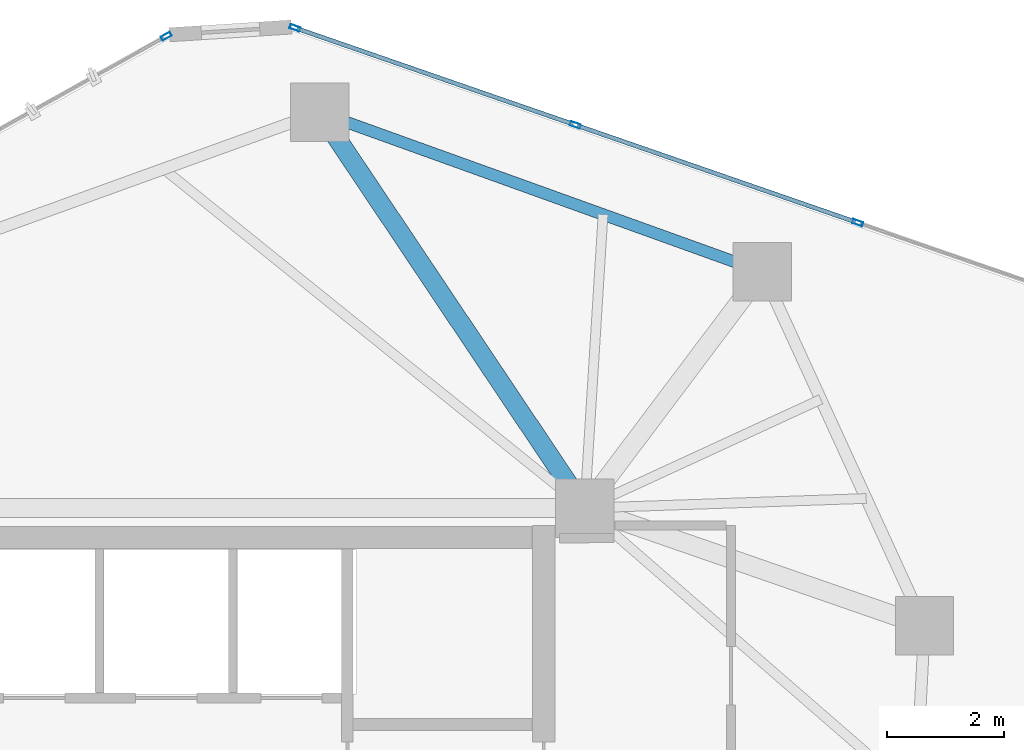
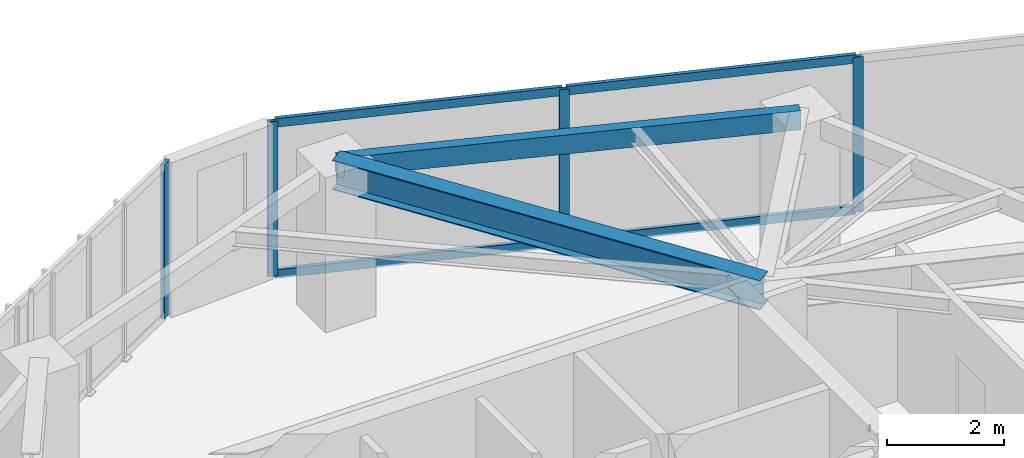
# One storey, part 13 of 19: 8 members, 2 beams, 2 elements without a shape of their own.
"""IFC4 building model written with IfcOpenShell, lengths in metres."""

from ifc_helpers import new_model, si_unit, direction, frame, origin, origin_2d, place, context, subcontext, project, spatial, hollow_rectangle, i_section, extrude, source, transform, mapped, material, layer, layer_set, material_profile, profile_set, type_object, type_shapes, element, aggregate, save


model = new_model("IFC4")

# Units and contexts
model_context = context("Model", 3, precision=1e-05, world=origin(), true_north=direction((0.0, 1.0)))
body_context = subcontext(model_context, "Body", "Model", "MODEL_VIEW")
ifc_project = project(units=[si_unit("LENGTHUNIT", "METRE"), si_unit("AREAUNIT", "SQUARE_METRE"), si_unit("VOLUMEUNIT", "CUBIC_METRE"), si_unit("PLANEANGLEUNIT", "RADIAN"), si_unit("MASSUNIT", "GRAM", prefix="KILO")], contexts=[model_context])

# Site, building, storey
site_placement = place(None, origin())
site = spatial("IfcSite", under=ifc_project, at=site_placement, CompositionType="ELEMENT")
building_placement = place(site_placement, origin())
building = spatial("IfcBuilding", under=site, at=building_placement, Name="Talar Marvaseh", CompositionType="ELEMENT")
storey_placement = place(building_placement, frame((0.0, 0.0, 177.5)))
storey = spatial("IfcBuildingStorey", under=building, at=storey_placement, Name="L46", CompositionType="ELEMENT", Elevation=177.5)

# Beams
ifc_material_1 = material(Name="Steel S355", Category="steel")
ifc_material_profile_1 = material_profile(ifc_material_1, hollow_rectangle(XDim=0.199951171875, YDim=0.39990234375, WallThickness=0.013916015625, at=origin_2d()), Name="RHS400x200x14")
ifc_profile_set_1 = profile_set([ifc_material_profile_1], Name="Steel S355")
beam_type_1 = type_object("IfcBeamType", Name="Zone 3 Perimeter Spandrel Beam RHS400x200x14", PredefinedType="SPANDREL", material=ifc_profile_set_1)
beam_1_placement = place(storey_placement, frame((28.76611328125, 43.66796875, 3.030029296875), z_axis=(0.940923359576, -0.3386195969, 0.0), x_axis=(0.3386195969, 0.940923359576, 0.0)))
element("IfcBeam", 1, at=beam_1_placement, inside=storey, type_object=beam_type_1, Name="L46 Zone 3 Perimeter Spandrel Beam RHS400x200x14", PredefinedType="SPANDREL", context=body_context, shape_type="SweptSolid", body=[
    extrude(hollow_rectangle(XDim=0.199951171875, YDim=0.39990234375, WallThickness=0.013916015625, at=origin_2d()), origin(), (0.0, 0.0, 1.0), 8.050537109375),
])
ifc_material_profile_2 = material_profile(ifc_material_1, i_section(OverallWidth=0.324951171875, OverallDepth=0.615966796875, WebThickness=0.013916015625, FlangeThickness=0.021484375, at=origin_2d()), Name="W610x174")
ifc_profile_set_2 = profile_set([ifc_material_profile_2], Name="Steel S355")
beam_type_2 = type_object("IfcBeamType", Name="Zone 3 Radial Floor Girder W610x174", PredefinedType="BEAM", material=ifc_profile_set_2)
beam_2_placement = place(storey_placement, frame((28.76611328125, 43.66796875, 2.922119140625), z_axis=(0.556559209375, -0.830807948, 0.0), x_axis=(0.830807948, 0.556559209375, 0.0)))
element("IfcBeam", 2, at=beam_2_placement, inside=storey, type_object=beam_type_2, Name="L46 Zone 3 Radial Floor Girder W610x174", PredefinedType="BEAM", context=body_context, shape_type="SweptSolid", body=[
    extrude(i_section(OverallWidth=0.324951171875, OverallDepth=0.615966796875, WebThickness=0.013916015625, FlangeThickness=0.021484375, at=origin_2d()), origin(), (0.0, 0.0, 1.0), 8.146484375),
])

# Curtain wall, member
ifc_material_2 = material(Name="Architectural Aluminium", Category="aluminium")
ifc_layer = layer(ifc_material_2, 0.18994140625)
ifc_layer_set = layer_set([ifc_layer], Name="Architectural Aluminium")
curtain_wall_type = type_object("IfcCurtainWallType", Name="Unitised Solar Atelier Curtain Wall Z3", PredefinedType="NOTDEFINED", material=ifc_layer_set)
curtain_wall_1_placement = place(storey_placement, origin())
curtain_wall_1 = element("IfcCurtainWall", 3, at=curtain_wall_1_placement, inside=storey, type_object=curtain_wall_type, Name="L46 Unitised Solar Atelier Curtain Wall Z3", PredefinedType="NOTDEFINED")
ifc_material_profile_3 = material_profile(ifc_material_2, hollow_rectangle(XDim=0.074951171875, YDim=0.179931640625, WallThickness=0.0048828125, at=origin_2d()), Name="RHS180x75x5")
ifc_profile_set_3 = profile_set([ifc_material_profile_3], Name="Architectural Aluminium")
member_type_1 = type_object("IfcMemberType", Name="Unitised Curtain Wall Standard Mullion RHS180x75x5", PredefinedType="MULLION", material=ifc_profile_set_3)
shared_shape_1 = source(origin(), body_context, "Body", "SweptSolid", [
    extrude(hollow_rectangle(XDim=0.074951171875, YDim=0.179931640625, WallThickness=0.0048828125, at=origin_2d()), origin(), (0.0, 0.0, 1.0), 3.22998046875),
])
type_shapes(member_type_1, [shared_shape_1])
member_1_placement = place(storey_placement, frame((26.141845703125, 44.972412109375, 0.0), z_axis=(0.0, 0.0, 1.0), x_axis=(-0.487589409522, 0.873073059785, 0.0)))
member_1 = element("IfcMember", 4, at=member_1_placement, type_object=member_type_1, Name="CW-Z3 mullion 4", PredefinedType="MULLION", context=body_context, shape_type="MappedRepresentation", body=[
    mapped(shared_shape_1, transform((0.0, 0.0, 0.0), x_axis=(1.0, 0.0, 0.0), y_axis=(0.0, 1.0, 0.0), z_axis=(0.0, 0.0, 1.0), scale=1.0)),
])
aggregate(curtain_wall_1, [member_1])

# Curtain wall, members
curtain_wall_2_placement = place(storey_placement, origin())
curtain_wall_2 = element("IfcCurtainWall", 5, at=curtain_wall_2_placement, inside=storey, type_object=curtain_wall_type, Name="L46 Unitised Solar Atelier Curtain Wall Z3", PredefinedType="NOTDEFINED")
member_2_placement = place(storey_placement, frame((28.343017578125, 45.11474609375, 0.0), z_axis=(0.0, 0.0, 1.0), x_axis=(0.327157137174, 0.944969950631, 0.0)))
member_2 = element("IfcMember", 6, at=member_2_placement, type_object=member_type_1, Name="CW-Z3 mullion 1", PredefinedType="MULLION", context=body_context, shape_type="MappedRepresentation", body=[
    mapped(shared_shape_1, transform((0.0, 0.0, 0.0), x_axis=(1.0, 0.0, 0.0), y_axis=(0.0, 1.0, 0.0), z_axis=(0.0, 0.0, 1.0), scale=1.0)),
])
member_3_placement = place(storey_placement, frame((33.139404296875, 43.4541015625, 0.0), z_axis=(0.0, 0.0, 1.0), x_axis=(0.327157137174, 0.944969950631, 0.0)))
member_3 = element("IfcMember", 7, at=member_3_placement, type_object=member_type_1, Name="CW-Z3 mullion 2", PredefinedType="MULLION", context=body_context, shape_type="MappedRepresentation", body=[
    mapped(shared_shape_1, transform((0.0, 0.0, 0.0), x_axis=(1.0, 0.0, 0.0), y_axis=(0.0, 1.0, 0.0), z_axis=(0.0, 0.0, 1.0), scale=1.0)),
])
member_4_placement = place(storey_placement, frame((37.970947265625, 41.78125, 0.0), z_axis=(0.0, 0.0, 1.0), x_axis=(0.327157137174, 0.944969950631, 0.0)))
member_4 = element("IfcMember", 8, at=member_4_placement, type_object=member_type_1, Name="CW-Z3 mullion 3", PredefinedType="MULLION", context=body_context, shape_type="MappedRepresentation", body=[
    mapped(shared_shape_1, transform((0.0, 0.0, 0.0), x_axis=(1.0, 0.0, 0.0), y_axis=(0.0, 1.0, 0.0), z_axis=(0.0, 0.0, 1.0), scale=1.0)),
])
ifc_material_profile_4 = material_profile(ifc_material_2, hollow_rectangle(XDim=0.074951171875, YDim=0.179931640625, WallThickness=0.0048828125, at=origin_2d()), Name="RHS180x75x5")
ifc_profile_set_4 = profile_set([ifc_material_profile_4], Name="Architectural Aluminium")
member_type_2 = type_object("IfcMemberType", Name="Unitised Curtain Wall Transom RHS180x75x5", PredefinedType="USERDEFINED", material=ifc_profile_set_4)
shared_shape_2 = source(origin(), body_context, "Body", "SweptSolid", [
    extrude(hollow_rectangle(XDim=0.074951171875, YDim=0.179931640625, WallThickness=0.0048828125, at=origin_2d()), origin(), (0.0, 0.0, 1.0), 5.0380859375),
])
member_5_placement = place(storey_placement, frame((33.1748046875, 43.44189453125, 0.03759765625), z_axis=(0.944971092723, -0.327153838306, 0.0), x_axis=(0.327153838306, 0.944971092723, 0.0)))
member_5 = element("IfcMember", 9, at=member_5_placement, type_object=member_type_2, Name="CW-Z3 transom 2.1", ObjectType="TRANSOM", PredefinedType="USERDEFINED", context=body_context, shape_type="MappedRepresentation", body=[
    mapped(shared_shape_2, transform((0.0, 0.0, 0.0), x_axis=(1.0, 0.0, 0.0), y_axis=(0.0, 1.0, 0.0), z_axis=(0.0, 0.0, 1.0), scale=1.0)),
])
member_6_placement = place(storey_placement, frame((33.1748046875, 43.44189453125, 3.1923828125), z_axis=(0.944971092723, -0.327153838306, 0.0), x_axis=(0.327153838306, 0.944971092723, 0.0)))
member_6 = element("IfcMember", 10, at=member_6_placement, type_object=member_type_2, Name="CW-Z3 transom 2.2", ObjectType="TRANSOM", PredefinedType="USERDEFINED", context=body_context, shape_type="MappedRepresentation", body=[
    mapped(shared_shape_2, transform((0.0, 0.0, 0.0), x_axis=(1.0, 0.0, 0.0), y_axis=(0.0, 1.0, 0.0), z_axis=(0.0, 0.0, 1.0), scale=1.0)),
])
shared_shape_3 = source(origin(), body_context, "Body", "SweptSolid", [
    extrude(hollow_rectangle(XDim=0.074951171875, YDim=0.179931640625, WallThickness=0.0048828125, at=origin_2d()), origin(), (0.0, 0.0, 1.0), 5.00048828125),
])
type_shapes(member_type_2, [shared_shape_2, shared_shape_3])
member_7_placement = place(storey_placement, frame((28.378662109375, 45.102294921875, 0.03759765625), z_axis=(0.944968077821, -0.327162546602, 0.0), x_axis=(0.327162546602, 0.944968077821, 0.0)))
member_7 = element("IfcMember", 11, at=member_7_placement, type_object=member_type_2, Name="CW-Z3 transom 1.1", ObjectType="TRANSOM", PredefinedType="USERDEFINED", context=body_context, shape_type="MappedRepresentation", body=[
    mapped(shared_shape_3, transform((0.0, 0.0, 0.0), x_axis=(1.0, 0.0, 0.0), y_axis=(0.0, 1.0, 0.0), z_axis=(0.0, 0.0, 1.0), scale=1.0)),
])
member_8_placement = place(storey_placement, frame((28.378662109375, 45.102294921875, 3.1923828125), z_axis=(0.944968077821, -0.327162546602, 0.0), x_axis=(0.327162546602, 0.944968077821, 0.0)))
member_8 = element("IfcMember", 12, at=member_8_placement, type_object=member_type_2, Name="CW-Z3 transom 1.2", ObjectType="TRANSOM", PredefinedType="USERDEFINED", context=body_context, shape_type="MappedRepresentation", body=[
    mapped(shared_shape_3, transform((0.0, 0.0, 0.0), x_axis=(1.0, 0.0, 0.0), y_axis=(0.0, 1.0, 0.0), z_axis=(0.0, 0.0, 1.0), scale=1.0)),
])
aggregate(curtain_wall_2, [member_2, member_3, member_4, member_7, member_8, member_5, member_6])

save(model, "model.ifc")
